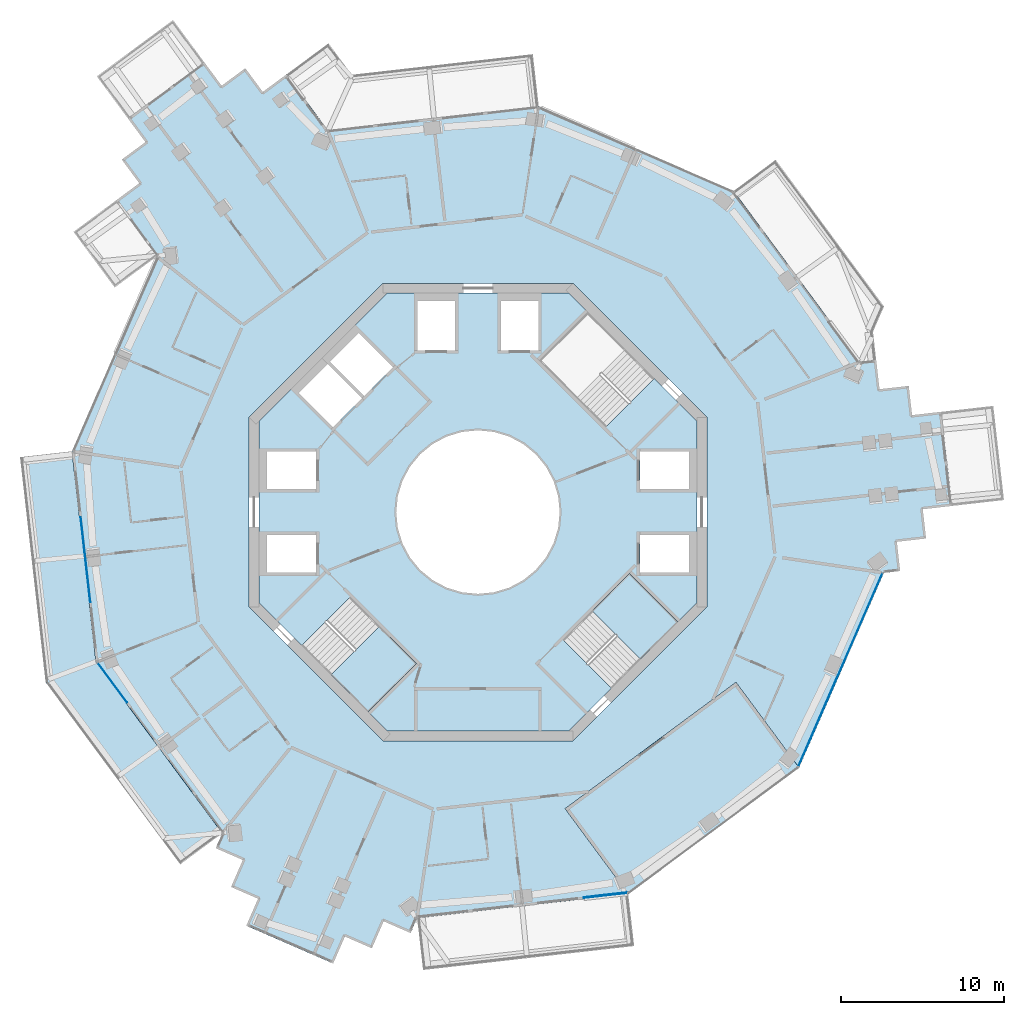
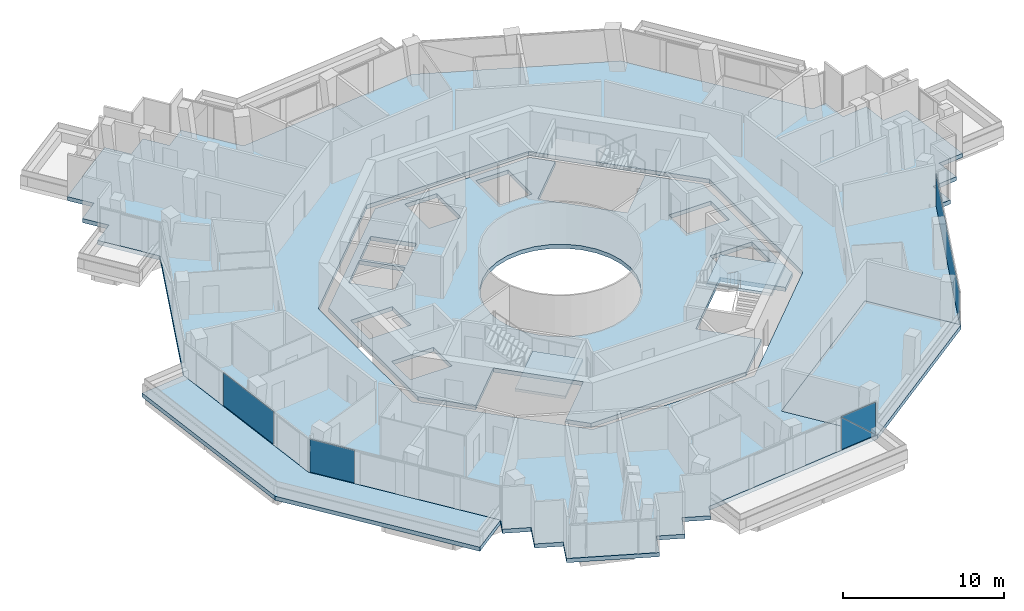
# One storey, part 12 of 23: 6 slabs, 5 plates, 6 elements without a shape of their own.
"""IFC4 building model written with IfcOpenShell, lengths in metres."""

import ifcopenshell
import ifcopenshell.guid

model = None  # the IFC model being written
_history = None  # IfcOwnerHistory: only IFC2X3 demands one
_inside = {}  # id of a spatial element -> (the spatial element, [elements in it])
_under = {}  # id of a project, library or spatial element -> (it, [spatial elements below it])
_declared = {}  # id of a project -> (the project, [libraries it declares])
_typed = {}  # id of a type object -> (the type object, [elements of that type])
_made_of = {}  # id of a material, layer set ... -> (it, [elements and type objects made of it])


def new_model(schema):
    """Start an empty IFC model of exactly this schema.

    Asked for "IFC4X3", IfcOpenShell would pick the latest addendum, in which some entities
    have other attributes; the version numbers below select the first issue.
    IFC2X3 requires an IfcOwnerHistory on every rooted entity: one is made here for all.
    """
    global model, _history
    if schema == "IFC4X3":
        model = ifcopenshell.file(schema_version=(4, 3, 0, 0))
    else:
        model = ifcopenshell.file(schema=schema)
    _inside.clear()
    _under.clear()
    _declared.clear()
    _typed.clear()
    _made_of.clear()
    _history = None
    if model.schema == "IFC2X3":
        org = make("IfcOrganization", Name="unknown")
        user = make(
            "IfcPersonAndOrganization",
            ThePerson=make("IfcPerson", FamilyName="unknown"),
            TheOrganization=org,
        )
        app = make(
            "IfcApplication",
            ApplicationDeveloper=org,
            Version="unknown",
            ApplicationFullName="unknown",
            ApplicationIdentifier="unknown",
        )
        _history = make(
            "IfcOwnerHistory",
            OwningUser=user,
            OwningApplication=app,
            ChangeAction="ADDED",
            CreationDate=0,
        )
    return model


def make(cls, **values):
    """One entity of the class cls with the attributes given. An attribute that is None is left unset."""
    return model.create_entity(
        cls, **{name: value for name, value in values.items() if value is not None}
    )


def rooted(cls, **values):
    """An entity with a GlobalId (a new one), such as an element, a storey or a relation."""
    return make(cls, GlobalId=ifcopenshell.guid.new(), OwnerHistory=_history, **values)


def si_unit(unit_type, name, prefix=None):
    """IfcSIUnit, for example si_unit("LENGTHUNIT", "METRE", prefix="MILLI")."""
    return make("IfcSIUnit", UnitType=unit_type, Prefix=prefix, Name=name)


def assignment(units):
    """IfcUnitAssignment: the units of a project."""
    return None if units is None else make("IfcUnitAssignment", Units=units)


def point(xyz):
    """IfcCartesianPoint."""
    return None if xyz is None else make("IfcCartesianPoint", Coordinates=xyz)


def direction(xyz):
    """IfcDirection."""
    return None if xyz is None else make("IfcDirection", DirectionRatios=xyz)


def frame(location, z_axis=None, x_axis=None):
    """IfcAxis2Placement3D, a coordinate frame: its origin and axes. An axis left out is left unset."""
    return make(
        "IfcAxis2Placement3D",
        Location=point(location),
        Axis=direction(z_axis),
        RefDirection=direction(x_axis),
    )


def frame_2d(location, x_axis=None):
    """IfcAxis2Placement2D, a coordinate frame in the plane: its origin and x axis."""
    return make(
        "IfcAxis2Placement2D", Location=point(location), RefDirection=direction(x_axis)
    )


def origin():
    """The frame at (0, 0, 0) with its axes left unset."""
    return frame((0.0, 0.0, 0.0))


def origin_2d():
    """The frame at (0, 0) in the plane with its x axis left unset."""
    return frame_2d((0.0, 0.0))


def place(relative_to, where):
    """IfcLocalPlacement: puts the frame where relative to a parent placement (None: the world)."""
    return make(
        "IfcLocalPlacement", PlacementRelTo=relative_to, RelativePlacement=where
    )


def context(
    kind, dimensions, precision=None, world=None, true_north=None, identifier=None
):
    """IfcGeometricRepresentationContext, for example the 3D "Model" context."""
    return make(
        "IfcGeometricRepresentationContext",
        ContextIdentifier=identifier,
        ContextType=kind,
        CoordinateSpaceDimension=dimensions,
        Precision=precision,
        WorldCoordinateSystem=world,
        TrueNorth=true_north,
    )


def subcontext(parent, identifier, kind, view, scale=None):
    """IfcGeometricRepresentationSubContext, for example "Body" below "Model"."""
    return make(
        "IfcGeometricRepresentationSubContext",
        ContextIdentifier=identifier,
        ContextType=kind,
        ParentContext=parent,
        TargetScale=scale,
        TargetView=view,
    )


def project(units=None, contexts=None):
    """IfcProject with its units and contexts."""
    return rooted(
        "IfcProject",
        Name="project",
        RepresentationContexts=contexts,
        UnitsInContext=assignment(units),
    )


def spatial(cls, under=None, at=None, **own):
    """A site, building, storey or space (cls), placed at a placement, below another one or the project."""
    s = rooted(cls, ObjectPlacement=at, **own)
    if under is not None:
        _under.setdefault(under.id(), (under, []))[1].append(s)
    return s


def polyline(points):
    """IfcPolyline through the points."""
    return make("IfcPolyline", Points=[point(p) for p in points])


def profile(cls, at=None, kind="AREA", **sizes):
    """A parametric profile (cls). Its sizes go by their IFC names, for example OverallWidth=200.0."""
    return make(cls, ProfileType=kind, Position=at, **sizes)


def rectangle(**sizes):
    """IfcRectangleProfileDef."""
    return profile("IfcRectangleProfileDef", **sizes)


def outline(outer, holes=None, kind="AREA"):
    """IfcArbitraryClosedProfileDef: a profile drawn as a closed curve; with holes, ...WithVoids."""
    if holes is None:
        return make("IfcArbitraryClosedProfileDef", ProfileType=kind, OuterCurve=outer)
    return make(
        "IfcArbitraryProfileDefWithVoids",
        ProfileType=kind,
        OuterCurve=outer,
        InnerCurves=holes,
    )


def extrude(swept, where, along, depth):
    """IfcExtrudedAreaSolid: the profile swept, set in the frame where, extruded along a direction by depth."""
    return make(
        "IfcExtrudedAreaSolid",
        SweptArea=swept,
        Position=where,
        ExtrudedDirection=direction(along),
        Depth=depth,
    )


def shape(context_of_items, identifier, shape_type, items):
    """IfcShapeRepresentation: the items that make up one representation, for example the "Body"."""
    return make(
        "IfcShapeRepresentation",
        ContextOfItems=context_of_items,
        RepresentationIdentifier=identifier,
        RepresentationType=shape_type,
        Items=items,
    )


def material(Name=None, Category=None):
    """IfcMaterial."""
    return make("IfcMaterial", Name=Name, Category=Category)


def layer(
    of_material, thickness, ventilated=None, Name=None, Category=None, Priority=None
):
    """IfcMaterialLayer: one layer of a wall or slab, of a material (None: an air gap)."""
    return make(
        "IfcMaterialLayer",
        Material=of_material,
        LayerThickness=thickness,
        IsVentilated=ventilated,
        Name=Name,
        Category=Category,
        Priority=Priority,
    )


def layer_set(layers, Name=None):
    """IfcMaterialLayerSet."""
    return make("IfcMaterialLayerSet", MaterialLayers=layers, LayerSetName=Name)


def made_of(thing, what):
    """Note that an element or type object is made of a material, layer set ...; save() writes the relation."""
    if what is not None:
        _made_of.setdefault(what.id(), (what, []))[1].append(thing)
    return thing


def type_object(cls, material=None, **own):
    """A type object (cls), such as IfcWallType, which elements share."""
    return made_of(rooted(cls, **own), material)


def element(
    cls,
    number,
    at=None,
    inside=None,
    cuts=None,
    type_object=None,
    material=None,
    context=None,
    identifier="Body",
    shape_type=None,
    held_by="IfcProductDefinitionShape",
    body=None,
    shapes=None,
    **own,
):
    """One element of the class cls, such as IfcWall. Its Tag is "e" and its number.

    at: its placement. inside: the storey or other place that contains it. cuts: it is an
    opening in that element (IfcRelVoidsElement). A single representation is given by context,
    identifier, shape_type and body (its items); several are given by shapes. held_by: the class
    of the entity that holds the representations. save() writes the other relations.
    """
    e = rooted(cls, Tag="e%d" % number, ObjectPlacement=at, **own)
    if body is not None:
        shapes = [shape(context, identifier, shape_type, body)]
    if shapes is not None:
        e.Representation = make(held_by, Representations=shapes)
    if inside is not None:
        _inside.setdefault(inside.id(), (inside, []))[1].append(e)
    if cuts is not None:
        rooted(
            "IfcRelVoidsElement", RelatingBuildingElement=cuts, RelatedOpeningElement=e
        )
    if type_object is not None:
        _typed.setdefault(type_object.id(), (type_object, []))[1].append(e)
    return made_of(e, material)


def aggregate(whole, parts):
    """IfcRelAggregates: a whole, such as a stair, and the parts it consists of."""
    return rooted("IfcRelAggregates", RelatingObject=whole, RelatedObjects=parts)


def save(model, path):
    """Write the relations noted so far, then the file.

    IfcRelAggregates (storeys below a building ...), IfcRelContainedInSpatialStructure (elements
    in a storey), IfcRelDefinesByType, IfcRelAssociatesMaterial and IfcRelDeclares: one each for
    every whole, place, type object, material and project.
    """
    for whole, parts in _under.values():
        aggregate(whole, parts)
    for where, things in _inside.values():
        rooted(
            "IfcRelContainedInSpatialStructure",
            RelatedElements=things,
            RelatingStructure=where,
        )
    for kind, things in _typed.values():
        rooted("IfcRelDefinesByType", RelatedObjects=things, RelatingType=kind)
    for what, things in _made_of.values():
        rooted("IfcRelAssociatesMaterial", RelatedObjects=things, RelatingMaterial=what)
    for by, libraries in _declared.values():
        rooted("IfcRelDeclares", RelatingContext=by, RelatedDefinitions=libraries)
    model.write(path)


model = new_model("IFC4")

# Units and contexts
model_context = context("Model", 3, precision=1e-05, world=origin(), true_north=direction((0.0, 1.0)))
body_context = subcontext(model_context, "Body", "Model", "MODEL_VIEW")
ifc_project = project(units=[si_unit("LENGTHUNIT", "METRE"), si_unit("AREAUNIT", "SQUARE_METRE"), si_unit("VOLUMEUNIT", "CUBIC_METRE"), si_unit("PLANEANGLEUNIT", "RADIAN"), si_unit("MASSUNIT", "GRAM", prefix="KILO")], contexts=[model_context])

# Site, building, storey
site_placement = place(None, origin())
site = spatial("IfcSite", under=ifc_project, at=site_placement, CompositionType="ELEMENT")
building_placement = place(site_placement, origin())
building = spatial("IfcBuilding", under=site, at=building_placement, Name="Verdalira Terraces Hotel", CompositionType="ELEMENT")
storey_placement = place(building_placement, frame((0.0, 0.0, 183.5)))
storey = spatial("IfcBuildingStorey", under=building, at=storey_placement, Name="L44", CompositionType="ELEMENT", Elevation=183.5)

# Slab
ifc_material_1 = material(Name="Precast concrete C40/50", Category="concrete")
ifc_layer_1 = layer(ifc_material_1, 0.31005859375)
ifc_layer_set_1 = layer_set([ifc_layer_1], Name="Balcony deck 310")
slab_type_1 = type_object("IfcSlabType", Name="Balcony deck 310", PredefinedType="FLOOR", material=ifc_layer_set_1)
slab_1_placement = place(storey_placement, frame((0.0, 0.0, -0.310059)))
element("IfcSlab", 1, at=slab_1_placement, inside=storey, type_object=slab_type_1, Name="Balcony deck", PredefinedType="FLOOR", context=body_context, shape_type="SweptSolid", body=[
    extrude(outline(polyline([(-26.452637, -10.40918), (-18.213623, -21.551514), (-15.640625, -19.648926), (-23.369873, -9.196289), (-24.836914, 3.720703), (-28.016357, 3.359619), (-26.452637, -10.40918)])), origin(), (0.0, 0.0, 1.0), 0.310059),
])

# Curtain wall, plate
ifc_material_2 = material(Name="Clear glass", Category="glass")
ifc_layer_2 = layer(ifc_material_2, 0.14990234375)
ifc_layer_set_2 = layer_set([ifc_layer_2], Name="CW1 curtain wall")
curtain_wall_type = type_object("IfcCurtainWallType", Name="CW1 curtain wall", PredefinedType="NOTDEFINED", material=ifc_layer_set_2)
curtain_wall_1_placement = place(storey_placement, origin())
curtain_wall_1 = element("IfcCurtainWall", 2, at=curtain_wall_1_placement, inside=storey, type_object=curtain_wall_type, Name="CW1 curtain wall L44 edge 12", PredefinedType="NOTDEFINED")
ifc_material_3 = material(Name="Clear glass", Category="glass")
ifc_layer_3 = layer(ifc_material_3, 0.028076171875)
ifc_layer_set_3 = layer_set([ifc_layer_3], Name="CW1 glass unit 28")
plate_type = type_object("IfcPlateType", Name="CW1 glass unit 28", PredefinedType="CURTAIN_PANEL", material=ifc_layer_set_3)
plate_1_placement = place(storey_placement, frame((-24.008545, -2.907471, 0.0), z_axis=(0.0, 0.0, 1.0), x_axis=(0.112856385, -0.993611311, 0.0)))
plate_1 = element("IfcPlate", 3, at=plate_1_placement, type_object=plate_type, Name="CW1 glass unit", PredefinedType="CURTAIN_PANEL", context=body_context, shape_type="SweptSolid", body=[
    extrude(rectangle(XDim=5.223633, YDim=0.028076, at=origin_2d()), origin(), (0.0, 0.0, 1.0), 2.475098),
])
aggregate(curtain_wall_1, [plate_1])

curtain_wall_2_placement = place(storey_placement, origin())
curtain_wall_2 = element("IfcCurtainWall", 4, at=curtain_wall_2_placement, inside=storey, type_object=curtain_wall_type, Name="CW1 curtain wall L44 edge 13", PredefinedType="NOTDEFINED")
plate_2_placement = place(storey_placement, frame((-22.358154, -10.438232, 0.0), z_axis=(0.0, 0.0, 1.0), x_axis=(0.594542152, -0.804064444, 0.0)))
plate_2 = element("IfcPlate", 5, at=plate_2_placement, type_object=plate_type, Name="CW1 glass unit", PredefinedType="CURTAIN_PANEL", context=body_context, shape_type="SweptSolid", body=[
    extrude(rectangle(XDim=2.999756, YDim=0.028076, at=origin_2d()), origin(), (0.0, 0.0, 1.0), 2.475098),
])
aggregate(curtain_wall_2, [plate_2])

# Curtain wall, plates
curtain_wall_3_placement = place(storey_placement, origin())
curtain_wall_3 = element("IfcCurtainWall", 6, at=curtain_wall_3_placement, inside=storey, type_object=curtain_wall_type, Name="CW1 curtain wall L44 edge 25", PredefinedType="NOTDEFINED")
plate_3_placement = place(storey_placement, frame((7.795898, -23.439209, 1.237549), z_axis=(0.112856385, -0.993611311, 0.0), x_axis=(0.993611311, 0.112856385, 0.0)))
plate_3 = element("IfcPlate", 7, at=plate_3_placement, type_object=plate_type, Name="CW1 glass unit", PredefinedType="CURTAIN_PANEL", context=body_context, shape_type="SweptSolid", body=[
    extrude(outline(polyline([(-1.339355, -1.237549), (1.339355, -1.237549), (-1.339355, 1.237549), (-1.339355, -1.237549)])), origin(), (0.0, 0.0, 1.0), 0.028076),
])
plate_4_placement = place(storey_placement, frame((7.79248, -23.4104, 1.237549), z_axis=(0.112856385, -0.993611311, 0.0), x_axis=(0.993611311, 0.112856385, 0.0)))
plate_4 = element("IfcPlate", 8, at=plate_4_placement, type_object=plate_type, Name="CW1 glass unit", PredefinedType="CURTAIN_PANEL", context=body_context, shape_type="SweptSolid", body=[
    extrude(outline(polyline([(1.339355, -1.237549), (1.339355, 1.237549), (-1.339355, 1.237549), (1.339355, -1.237549)])), origin(), (0.0, 0.0, 1.0), 0.028076),
])
aggregate(curtain_wall_3, [plate_3, plate_4])

# Curtain wall, plate
curtain_wall_4_placement = place(storey_placement, origin())
curtain_wall_4 = element("IfcCurtainWall", 9, at=curtain_wall_4_placement, inside=storey, type_object=curtain_wall_type, Name="CW1 curtain wall L44 edge 27", PredefinedType="NOTDEFINED")
plate_5_placement = place(storey_placement, frame((22.174316, -9.650879, 0.0), z_axis=(0.0, 0.0, 1.0), x_axis=(0.399069159, 0.916920829, 0.0)))
plate_5 = element("IfcPlate", 10, at=plate_5_placement, type_object=plate_type, Name="CW1 glass unit", PredefinedType="CURTAIN_PANEL", context=body_context, shape_type="SweptSolid", body=[
    extrude(rectangle(XDim=12.879883, YDim=0.028076, at=origin_2d()), origin(), (0.0, 0.0, 1.0), 2.475098),
])
aggregate(curtain_wall_4, [plate_5])

# Slab
ifc_material_4 = material(Name="Concrete C40", Category="concrete")
ifc_layer_4 = layer(ifc_material_4, 0.31005859375)
ifc_layer_set_4 = layer_set([ifc_layer_4], Name="Core floor slab 310 mm")
slab_type_2 = type_object("IfcSlabType", Name="Core floor slab 310 mm", PredefinedType="FLOOR", material=ifc_layer_set_4)
slab_2_placement = place(storey_placement, frame((0.0, 0.0, -0.310059)))
element("IfcSlab", 11, at=slab_2_placement, inside=storey, type_object=slab_type_2, Name="L44 core floor", PredefinedType="FLOOR", context=body_context, shape_type="SweptSolid", body=[
    extrude(outline(polyline([(-6.703369, -12.24707), (-3.719482, -9.263184), (-7.799072, -5.18335), (-10.782959, -8.16748), (-13.399902, -5.550537), (-13.399902, 5.550537), (-5.550537, 13.399902), (5.550537, 13.399902), (6.703369, 12.24707), (3.719482, 9.263184), (7.799072, 5.18335), (10.782959, 8.16748), (13.399902, 5.550537), (13.399902, -5.550537), (12.24707, -6.703369), (9.263184, -3.719482), (5.18335, -7.799072), (8.16748, -10.782959), (5.550537, -13.399902), (-5.550537, -13.399902), (-6.703369, -12.24707)]), holes=[polyline([(9.899902, -1.399902), (9.899902, -3.699951), (12.899902, -3.699951), (12.899902, -1.399902), (9.899902, -1.399902)]), polyline([(9.899902, 3.699951), (9.899902, 1.399902), (12.899902, 1.399902), (12.899902, 3.699951), (9.899902, 3.699951)]), polyline([(3.699951, 12.899902), (1.399902, 12.899902), (1.399902, 9.899902), (3.699951, 9.899902), (3.699951, 12.899902)]), polyline([(-1.399902, 12.899902), (-3.699951, 12.899902), (-3.699951, 9.899902), (-1.399902, 9.899902), (-1.399902, 12.899902)]), polyline([(-9.899902, 1.399902), (-9.899902, 3.699951), (-12.899902, 3.699951), (-12.899902, 1.399902), (-9.899902, 1.399902)]), polyline([(-9.899902, -3.699951), (-9.899902, -1.399902), (-12.899902, -1.399902), (-12.899902, -3.699951), (-9.899902, -3.699951)]), polyline([(-9.051025, 9.192383), (-6.965088, 7.106445), (-5.197266, 8.874268), (-7.283203, 10.960205), (-9.051025, 9.192383)]), polyline([(-9.192383, 9.051025), (-10.960205, 7.283203), (-8.874268, 5.197266), (-7.106445, 6.965088), (-9.192383, 9.051025)]), polyline([(3.5354, 3.5354), (2.777832, 4.157227), (1.91333, 4.619385), (0.975586, 4.903809), (0.0, 5.0), (-0.975586, 4.903809), (-1.91333, 4.619385), (-2.777832, 4.157227), (-3.5354, 3.5354), (-4.157227, 2.777832), (-4.619385, 1.91333), (-4.903809, 0.975586), (-5.0, 0.0), (-4.903809, -0.975586), (-4.619385, -1.91333), (-4.157227, -2.777832), (-3.5354, -3.5354), (-2.777832, -4.157227), (-1.91333, -4.619385), (-0.975586, -4.903809), (0.0, -5.0), (0.975586, -4.903809), (1.91333, -4.619385), (2.777832, -4.157227), (3.5354, -3.5354), (4.157227, -2.777832), (4.619385, -1.91333), (4.903809, -0.975586), (5.0, 0.0), (4.903809, 0.975586), (4.619385, 1.91333), (4.157227, 2.777832), (3.5354, 3.5354)])]), origin(), (0.0, 0.0, 1.0), 0.310059),
])

# Stair, slab
ifc_material_5 = material(Name="Concrete C40", Category="concrete")
stair_type = type_object("IfcStairType", Name="Core stair 20 risers 2050 mm wide", PredefinedType="HALF_TURN_STAIR", material=ifc_material_5)
stair_1_placement = place(storey_placement, origin())
stair_1 = element("IfcStair", 12, at=stair_1_placement, inside=storey, type_object=stair_type, Name="L44 Exit stair ST2", PredefinedType="HALF_TURN_STAIR")
ifc_material_6 = material(Name="Concrete C40", Category="concrete")
ifc_layer_5 = layer(ifc_material_6, 0.199951171875)
ifc_layer_set_5 = layer_set([ifc_layer_5], Name="Core stair landing 200 mm")
slab_type_3 = type_object("IfcSlabType", Name="Core stair landing 200 mm", PredefinedType="LANDING", material=ifc_layer_set_5)
slab_3_placement = place(storey_placement, frame((0.0, 0.0, 1.550049)))
slab_3 = element("IfcSlab", 13, at=slab_3_placement, type_object=slab_type_3, Name="ST2 landing 1", PredefinedType="LANDING", context=body_context, shape_type="SweptSolid", body=[
    extrude(outline(polyline([(-9.001709, -9.94873), (-6.717529, -12.23291), (-3.747559, -9.263184), (-6.031982, -6.97876), (-9.001709, -9.94873)])), origin(), (0.0, 0.0, 1.0), 0.199951),
])
aggregate(stair_1, [slab_3])

stair_2_placement = place(storey_placement, origin())
stair_2 = element("IfcStair", 14, at=stair_2_placement, inside=storey, type_object=stair_type, Name="L44 Exit stair ST3", PredefinedType="HALF_TURN_STAIR")
slab_4_placement = place(storey_placement, frame((0.0, 0.0, 1.550049)))
slab_4 = element("IfcSlab", 15, at=slab_4_placement, type_object=slab_type_3, Name="ST3 landing 1", PredefinedType="LANDING", context=body_context, shape_type="SweptSolid", body=[
    extrude(outline(polyline([(9.94873, -9.001709), (12.23291, -6.717529), (9.263184, -3.747559), (6.97876, -6.031982), (9.94873, -9.001709)])), origin(), (0.0, 0.0, 1.0), 0.199951),
])
aggregate(stair_2, [slab_4])

# Slabs
ifc_material_7 = material(Name="Concrete C40", Category="concrete")
ifc_layer_6 = layer(ifc_material_7, 0.31005859375)
ifc_layer_set_6 = layer_set([ifc_layer_6], Name="Floor slab 310 C40")
slab_type_4 = type_object("IfcSlabType", Name="Floor slab 310 C40", PredefinedType="FLOOR", material=ifc_layer_set_6)
slab_5_placement = place(storey_placement, frame((0.0, 0.0, -0.310059)))
element("IfcSlab", 16, at=slab_5_placement, inside=storey, type_object=slab_type_4, Name="Floor slab L44", PredefinedType="FLOOR", context=body_context, shape_type="SweptSolid", body=[
    extrude(outline(polyline([(-4.119873, -25.753906), (-3.720703, -24.836914), (9.195557, -23.369873), (5.331055, -18.143311), (15.784668, -10.413574), (19.64917, -15.640137), (24.836914, -3.720703), (25.830566, -3.60791), (25.627441, -1.819336), (27.416016, -1.616211), (27.212646, 0.172119), (29.001221, 0.375488), (28.34668, 6.138184), (26.558105, 5.935303), (26.35498, 7.723633), (24.566406, 7.520508), (24.363281, 9.309082), (23.369873, 9.196289), (15.640625, 19.648926), (3.720703, 24.836914), (-9.196289, 23.369873), (-11.71582, 26.777588), (-13.163086, 25.707275), (-14.233398, 27.154541), (-15.680664, 26.084473), (-16.750977, 27.531738), (-21.414551, 24.083496), (-20.344238, 22.635986), (-21.791504, 21.565918), (-20.721436, 20.118652), (-22.168701, 19.04834), (-19.648926, 15.640625), (-24.836914, 3.720703), (-23.369873, -9.196289), (-15.640625, -19.648926), (-16.039795, -20.565918), (-14.389404, -21.28418), (-15.107666, -22.934814), (-13.457275, -23.653076), (-14.175537, -25.303467), (-8.857422, -27.618164), (-8.13916, -25.967529), (-6.488525, -26.686035), (-5.770264, -25.0354), (-4.119873, -25.753906)]), holes=[polyline([(5.799072, 14.0), (14.0, 5.799072), (14.0, -5.799072), (5.799072, -14.0), (-5.799072, -14.0), (-14.0, -5.799072), (-14.0, 5.799072), (-5.799072, 14.0), (5.799072, 14.0)])]), origin(), (0.0, 0.0, 1.0), 0.310059),
])
ifc_material_8 = material(Name="Concrete C40", Category="concrete")
ifc_layer_7 = layer(ifc_material_8, 0.31005859375)
ifc_layer_set_7 = layer_set([ifc_layer_7], Name="Loggia floor deck 310 C40")
slab_type_5 = type_object("IfcSlabType", Name="Loggia floor deck 310 C40", PredefinedType="FLOOR", material=ifc_layer_set_7)
slab_6_placement = place(storey_placement, frame((0.0, 0.0, -0.310059)))
element("IfcSlab", 17, at=slab_6_placement, inside=storey, type_object=slab_type_5, Name="Loggia deck L44", PredefinedType="FLOOR", context=body_context, shape_type="SweptSolid", body=[
    extrude(outline(polyline([(5.331787, -18.143311), (9.196289, -23.369873), (19.648926, -15.640625), (15.784424, -10.414307), (5.331787, -18.143311)])), origin(), (0.0, 0.0, 1.0), 0.310059),
])

save(model, "model.ifc")
